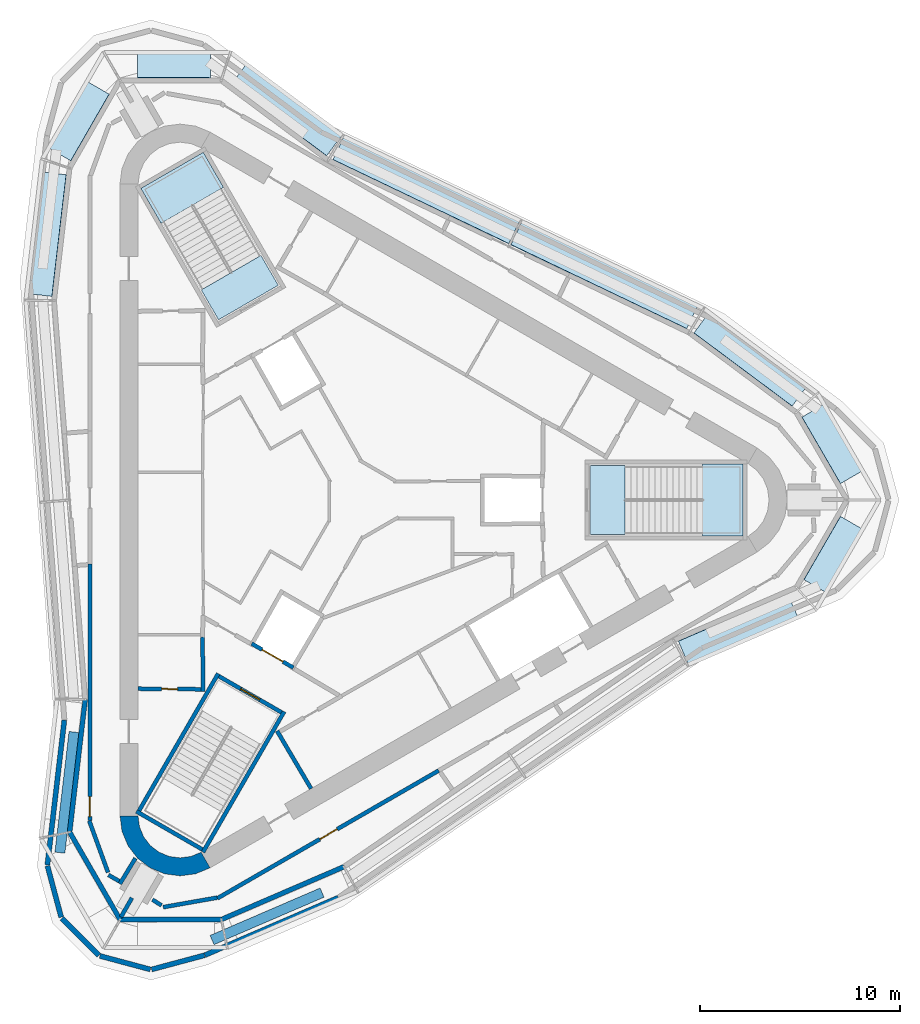
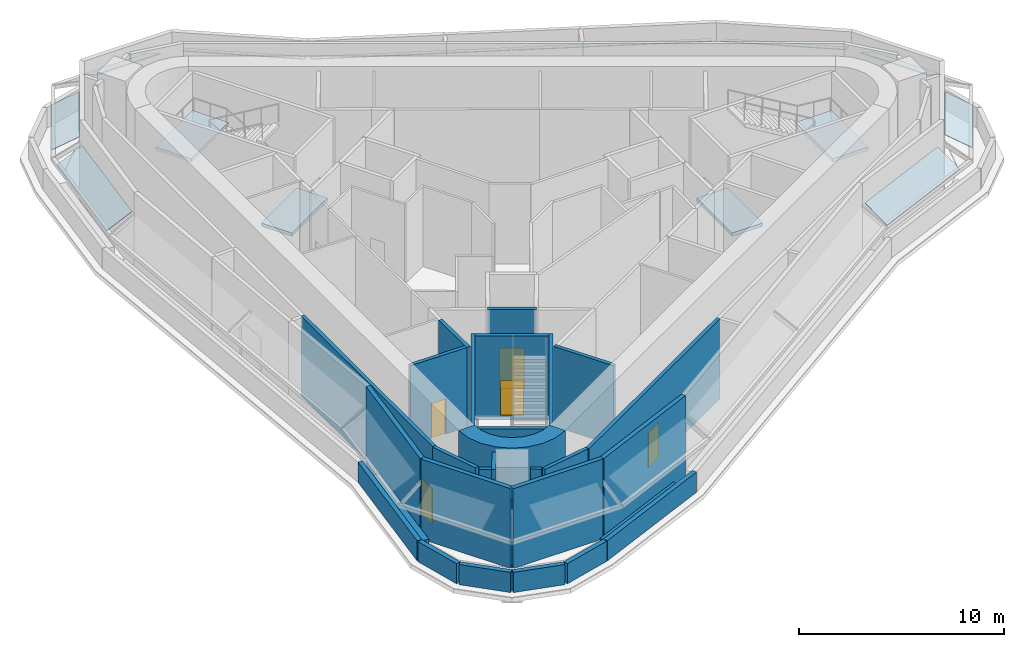
# One storey, part 2 of 7: 29 walls, 10 plates, 5 doors, 4 slabs, 5 openings, 3 elements without a shape of their own.
"""IFC4 building model written with IfcOpenShell, lengths in metres."""

from ifc_helpers import new_model, si_unit, direction, frame, frame_2d, origin, place, context, subcontext, project, spatial, polyline, rectangle, outline, extrude, material, layer, layer_set, type_object, element, fill, aggregate, save


model = new_model("IFC4")

# Units and contexts
model_context = context("Model", 3, precision=1e-05, world=origin(), true_north=direction((0.0, 1.0)))
body_context = subcontext(model_context, "Body", "Model", "MODEL_VIEW")
ifc_project = project(units=[si_unit("LENGTHUNIT", "METRE"), si_unit("AREAUNIT", "SQUARE_METRE"), si_unit("VOLUMEUNIT", "CUBIC_METRE"), si_unit("PLANEANGLEUNIT", "RADIAN"), si_unit("MASSUNIT", "GRAM", prefix="KILO")], contexts=[model_context])

# Site, building, storey
site_placement = place(None, origin())
site = spatial("IfcSite", under=ifc_project, at=site_placement, CompositionType="ELEMENT")
building_placement = place(site_placement, origin())
building = spatial("IfcBuilding", under=site, at=building_placement, Name="Tanit Gate Tower", CompositionType="ELEMENT")
storey_placement = place(building_placement, frame((0.0, 0.0, 425.300048828125)))
storey = spatial("IfcBuildingStorey", under=building, at=storey_placement, Name="L96", CompositionType="ELEMENT", Elevation=425.300048828125)

# Curtain wall, plates
ifc_material_1 = material(Name="Aluminium bronze anodised and glass", Category="aluminium")
curtain_wall_type = type_object("IfcCurtainWallType", Name="Curtain wall crown roof", PredefinedType="NOTDEFINED", material=ifc_material_1)
curtain_wall_placement = place(storey_placement, origin())
curtain_wall = element("IfcCurtainWall", 1, at=curtain_wall_placement, inside=storey, type_object=curtain_wall_type, Name="Glass roof L96", PredefinedType="NOTDEFINED")
ifc_material_2 = material(Name="Glass tinted laminated safety", Category="glass")
ifc_layer_1 = layer(ifc_material_2, 0.033935546875)
ifc_layer_set_1 = layer_set([ifc_layer_1], Name="Glass panel 34 crown roof")
plate_type = type_object("IfcPlateType", Name="Glass panel 34 crown roof", PredefinedType="CURTAIN_PANEL", material=ifc_layer_set_1)
plate_1_placement = place(storey_placement, frame((21.45361328125, 4.688720703125, 3.498291015625), z_axis=(0.298666408134, 0.400983056406, 0.866031734481), x_axis=(-0.801983700712, 0.59734591636, 0.0)))
plate_1 = element("IfcPlate", 2, at=plate_1_placement, type_object=plate_type, Name="Roof glass panel L96 NE1.1", PredefinedType="CURTAIN_PANEL", context=body_context, shape_type="SweptSolid", body=[
    extrude(outline(polyline([(0.0, 0.0), (6.115512087427251, 0.0), (6.1154662302938405, -1.5473972164386183), (-4.585713341078351e-05, -1.5473972164386183), (0.0, 0.0)])), origin(), (0.0, 0.0, -1.0), 0.033935546875),
])
plate_2_placement = place(storey_placement, frame((16.192138671875, 8.55712890625, 3.498291015625), z_axis=(0.215531890383, 0.451143612175, 0.866034321157), x_axis=(-0.902315098055, 0.431077097307, 0.0)))
plate_2 = element("IfcPlate", 3, at=plate_2_placement, type_object=plate_type, Name="Roof glass panel L96 NE2.1", PredefinedType="CURTAIN_PANEL", context=body_context, shape_type="SweptSolid", body=[
    extrude(outline(polyline([(0.0, 0.0), (9.726499319828845, 0.0), (9.7265597058064, -1.5474110828227365), (6.0385977555088566e-05, -1.547411082822736), (0.0, 0.0)])), origin(), (0.0, 0.0, -1.0), 0.033935546875),
])
plate_3_placement = place(storey_placement, frame((7.307373046875, 12.8017578125, 3.498291015625), z_axis=(0.215558466029, 0.451199239363, 0.865998726397), x_axis=(-0.902315098055, 0.431077097307, 0.0)))
plate_3 = element("IfcPlate", 4, at=plate_3_placement, type_object=plate_type, Name="Roof glass panel L96 NE2.2", PredefinedType="CURTAIN_PANEL", context=body_context, shape_type="SweptSolid", body=[
    extrude(outline(polyline([(0.0, 0.0), (9.726499319828845, 0.0), (9.726454462374441, -1.5472203065079027), (-4.485745440463429e-05, -1.5472203065079024), (0.0, 0.0)])), origin(), (0.0, 0.0, -1.0), 0.033935546875),
])
plate_4_placement = place(storey_placement, frame((-1.781982421875, 17.18359375, 3.498291015625), z_axis=(0.298706164305, 0.401038498358, 0.86599234999), x_axis=(-0.801992547081, 0.597334039191, 7.126442e-06)))
plate_4 = element("IfcPlate", 5, at=plate_4_placement, type_object=plate_type, Name="Roof glass panel L96 NE3.1", PredefinedType="CURTAIN_PANEL", context=body_context, shape_type="SweptSolid", body=[
    extrude(outline(polyline([(0.0, 0.0), (5.948909984247052, 4.440892098500626e-16), (5.949034566153936, -1.5472709206767363), (-2.1251598777600067e-05, -1.5471013597540724), (0.0, 0.0)])), origin(), (0.0, 0.0, -1.0), 0.033935546875),
])
plate_5_placement = place(storey_placement, frame((-7.575439453125, 21.076171875, 3.498291015625), z_axis=(0.000234234829, 0.499990973103, 0.866030583727), x_axis=(-0.999999890264, 0.000468478064, 0.0)))
plate_5 = element("IfcPlate", 6, at=plate_5_placement, type_object=plate_type, Name="Roof glass panel L96 NW.arc1.1", PredefinedType="CURTAIN_PANEL", context=body_context, shape_type="SweptSolid", body=[
    extrude(outline(polyline([(0.0, 0.0), (3.6479496190608676, 0.0), (3.648089139645, -1.547391047729222), (0.00013952058413243344, -1.547391047729222), (0.0, 0.0)])), origin(), (0.0, 0.0, -1.0), 0.033935546875),
])
plate_6_placement = place(storey_placement, frame((-12.641845703125, 20.258544921875, 3.498291015625), z_axis=(-0.433335350751, 0.249490326929, 0.866010999098), x_axis=(-0.498963358598, -0.866623082286, -5.064469e-06)))
plate_6 = element("IfcPlate", 7, at=plate_6_placement, type_object=plate_type, Name="Roof glass panel L96 NW.arc2.1", PredefinedType="CURTAIN_PANEL", context=body_context, shape_type="SweptSolid", body=[
    extrude(outline(polyline([(0.0, 0.0), (3.8375266719688814, 0.0), (3.8373814474603263, -1.5472472087476996), (0.00018817061861330312, -1.5473249416350263), (0.0, 0.0)])), origin(), (0.0, 0.0, -1.0), 0.033935546875),
])
plate_7_placement = place(storey_placement, frame((-14.787353515625, 16.235107421875, 3.498291015625), z_axis=(-0.496617410915, 0.058157274276, 0.866018982832), x_axis=(-0.11632672933, -0.993211000729, -8.584751e-06)))
plate_7 = element("IfcPlate", 8, at=plate_7_placement, type_object=plate_type, Name="Roof glass panel L96 W1.1", PredefinedType="CURTAIN_PANEL", context=body_context, shape_type="SweptSolid", body=[
    extrude(outline(polyline([(0.0, 0.0), (6.115496234475524, -1.1102230246251565e-16), (6.115607462061177, -1.5472238654103196), (0.00013962766605625133, -1.5474338603032207), (0.0, 0.0)])), origin(), (0.0, 0.0, -1.0), 0.033935546875),
])
plate_8_placement = place(storey_placement, frame((15.7724609375, -7.048583984375, 3.498291015625), z_axis=(0.197943054289, -0.459158529445, 0.866020780407), x_axis=(0.918294344887, 0.395898340503, 1.1676939e-05)))
plate_8 = element("IfcPlate", 9, at=plate_8_placement, type_object=plate_type, Name="Roof glass panel L96 SE3.1", PredefinedType="CURTAIN_PANEL", context=body_context, shape_type="SweptSolid", body=[
    extrude(outline(polyline([(0.0, 0.0), (5.948971082034645, -2.220446049250313e-16), (5.948896148622116, -1.5474774275708434), (-0.00020247149953695934, -1.547199565943596), (0.0, 0.0)])), origin(), (0.0, 0.0, -1.0), 0.033935546875),
])
plate_9_placement = place(storey_placement, frame((22.040283203125, -3.9775390625, 3.498291015625), z_axis=(0.432910883191, -0.250212551588, 0.866014922644), x_axis=(0.500396062152, 0.865796616377, 7.250832e-06)))
plate_9 = element("IfcPlate", 10, at=plate_9_placement, type_object=plate_type, Name="Roof glass panel L96 E.arc1.1", PredefinedType="CURTAIN_PANEL", context=body_context, shape_type="SweptSolid", body=[
    extrude(outline(polyline([(0.0, 0.0), (3.6480156696245745, 0.0), (3.647897457777067, -1.5473600022180385), (9.316427953745552e-05, -1.5472542045329571), (0.0, 0.0)])), origin(), (0.0, 0.0, -1.0), 0.033935546875),
])
plate_10_placement = place(storey_placement, frame((23.865234375, 0.81884765625, 3.498291015625), z_axis=(0.432733401979, 0.250516469939, 0.866015762617), x_axis=(-0.50101620732, 0.86543790072, 0.0)))
plate_10 = element("IfcPlate", 11, at=plate_10_placement, type_object=plate_type, Name="Roof glass panel L96 E.arc2.1", PredefinedType="CURTAIN_PANEL", context=body_context, shape_type="SweptSolid", body=[
    extrude(outline(polyline([(0.0, 0.0), (3.837415624057493, 0.0), (3.8374466890505063, -1.547311605312194), (3.10649930134374e-05, -1.5473116053121945), (0.0, 0.0)])), origin(), (0.0, 0.0, -1.0), 0.033935546875),
])
aggregate(curtain_wall, [plate_1, plate_2, plate_3, plate_4, plate_5, plate_6, plate_7, plate_8, plate_9, plate_10])

# Stair, slab
ifc_material_3 = material(Name="Concrete C40/50", Category="concrete")
stair_type = type_object("IfcStairType", Name="INT-STAIR-EXIT", PredefinedType="HALF_TURN_STAIR", material=ifc_material_3)
stair_1_placement = place(storey_placement, origin())
stair_1 = element("IfcStair", 12, at=stair_1_placement, inside=storey, type_object=stair_type, Name="L96 STAIR S1", PredefinedType="HALF_TURN_STAIR")
ifc_material_4 = material(Name="Concrete C40/50", Category="concrete")
ifc_layer_2 = layer(ifc_material_4, 0.199951171875)
ifc_layer_set_2 = layer_set([ifc_layer_2], Name="INT-STAIR-LANDING")
slab_type = type_object("IfcSlabType", Name="INT-STAIR-LANDING", PredefinedType="LANDING", material=ifc_layer_set_2)
slab_1_placement = place(storey_placement, frame((0.0, 0.0, 2.300048828125)))
slab_1 = element("IfcSlab", 13, at=slab_1_placement, type_object=slab_type, Name="S1 landing 1", PredefinedType="LANDING", context=body_context, shape_type="SweptSolid", body=[
    extrude(outline(polyline([(16.985107421875, -1.800048828125), (19.0, -1.800048828125), (19.0, 1.800048828125), (16.985107421875, 1.800048828125), (16.985107421875, -1.800048828125)])), origin(), (0.0, 0.0, 1.0), 0.199951171875),
])
aggregate(stair_1, [slab_1])

# Slab
slab_2_placement = place(storey_placement, frame((0.0, 0.0, -0.199951171875)))
element("IfcSlab", 14, at=slab_2_placement, inside=storey, type_object=slab_type, Name="S1 floor landing", PredefinedType="LANDING", context=body_context, shape_type="SweptSolid", body=[
    extrude(outline(polyline([(11.3798828125, -1.719970703125), (13.10498046875, -1.719970703125), (13.10498046875, 1.719970703125), (11.3798828125, 1.719970703125), (11.3798828125, -1.719970703125)])), origin(), (0.0, 0.0, 1.0), 0.199951171875),
])

# Stair, slab
stair_2_placement = place(storey_placement, origin())
stair_2 = element("IfcStair", 15, at=stair_2_placement, inside=storey, type_object=stair_type, Name="L96 STAIR S2", PredefinedType="HALF_TURN_STAIR")
slab_3_placement = place(storey_placement, frame((0.0, 0.0, 2.300048828125)))
slab_3 = element("IfcSlab", 16, at=slab_3_placement, type_object=slab_type, Name="S2 landing 1", PredefinedType="LANDING", context=body_context, shape_type="SweptSolid", body=[
    extrude(outline(polyline([(-6.93310546875, 15.608642578125), (-7.941162109375, 17.3544921875), (-11.058837890625, 15.554443359375), (-10.05078125, 13.80859375), (-6.93310546875, 15.608642578125)])), origin(), (0.0, 0.0, 1.0), 0.199951171875),
])
aggregate(stair_2, [slab_3])

# Slab
slab_4_placement = place(storey_placement, frame((0.0, 0.0, -0.199951171875)))
element("IfcSlab", 17, at=slab_4_placement, inside=storey, type_object=slab_type, Name="S2 floor landing", PredefinedType="LANDING", context=body_context, shape_type="SweptSolid", body=[
    extrude(outline(polyline([(-4.200439453125, 10.71533203125), (-5.0625, 12.20849609375), (-8.04150390625, 10.48828125), (-7.179443359375, 8.995361328125), (-4.200439453125, 10.71533203125)])), origin(), (0.0, 0.0, 1.0), 0.199951171875),
])

# Walls
ifc_material_5 = material(Name="Concrete C40/50", Category="concrete")
ifc_layer_3 = layer(ifc_material_5, 0.89990234375)
ifc_layer_set_3 = layer_set([ifc_layer_3], Name="CORE WALL 900 C40/50")
wall_type_1 = type_object("IfcWallType", Name="CORE WALL 900 C40/50", PredefinedType="SHEAR", material=ifc_layer_set_3)
wall_1_placement = place(storey_placement, origin())
element("IfcWall", 18, at=wall_1_placement, inside=storey, type_object=wall_type_1, Name="CORE WALL CORNER", PredefinedType="SHEAR", context=body_context, shape_type="SweptSolid", body=[
    extrude(outline(polyline([(-12.10009765625, -15.76171875), (-11.997802734375, -16.5380859375), (-11.697998046875, -17.26171875), (-11.22119140625, -17.883056640625), (-10.60009765625, -18.359619140625), (-9.87646484375, -18.659423828125), (-9.10009765625, -18.76171875), (-8.323486328125, -18.659423828125), (-7.60009765625, -18.359619140625), (-8.050048828125, -17.580322265625), (-8.556396484375, -17.7900390625), (-9.10009765625, -17.86181640625), (-9.6435546875, -17.7900390625), (-10.14990234375, -17.580322265625), (-10.5849609375, -17.24658203125), (-10.918701171875, -16.811767578125), (-11.12841796875, -16.30517578125), (-11.199951171875, -15.76171875), (-12.10009765625, -15.76171875)])), origin(), (0.0, 0.0, 1.0), 5.0),
])
ifc_material_6 = material(Name="Concrete C30/37 with bronze anodised aluminium cladding", Category="concrete")
ifc_layer_4 = layer(ifc_material_6, 0.239990234375)
ifc_layer_set_4 = layer_set([ifc_layer_4], Name="Facade wall bronze clad 240")
wall_type_2 = type_object("IfcWallType", Name="Facade wall bronze clad 240", PredefinedType="SOLIDWALL", material=ifc_layer_set_4)
wall_2_placement = place(storey_placement, frame((-13.83642578125, -9.955078125, 0.0), z_axis=(0.0, 0.0, 1.0), x_axis=(-0.116299625297, -0.993214174867, 0.0)))
element("IfcWall", 19, at=wall_2_placement, inside=storey, type_object=wall_type_2, Name="Bronze-clad facade wall L96 W3", PredefinedType="SOLIDWALL", context=body_context, shape_type="SweptSolid", body=[
    extrude(rectangle(XDim=6.669189453125, YDim=0.239990234375, at=frame_2d((3.33447265625, 0.0))), origin(), (0.0, 0.0, 1.0), 4.75),
])
wall_3_placement = place(storey_placement, frame((-14.612060546875, -16.5791015625, 0.0), z_axis=(0.0, 0.0, 1.0), x_axis=(0.499577110492, -0.866269421527, 0.0)))
element("IfcWall", 20, at=wall_3_placement, inside=storey, type_object=wall_type_2, Name="Bronze-clad facade wall L96 SW.arc1", PredefinedType="SOLIDWALL", context=body_context, shape_type="SweptSolid", body=[
    extrude(rectangle(XDim=5.041259765625, YDim=0.239990234375, at=frame_2d((2.5205078125, 0.0))), origin(), (0.0, 0.0, 1.0), 4.75),
])
wall_4_placement = place(storey_placement, frame((-12.093505859375, -20.9462890625, 0.0), z_axis=(0.0, 0.0, 1.0), x_axis=(0.999999328327, 0.001159027569, 0.0)))
element("IfcWall", 21, at=wall_4_placement, inside=storey, type_object=wall_type_2, Name="Bronze-clad facade wall L96 SW.arc2", PredefinedType="SOLIDWALL", context=body_context, shape_type="SweptSolid", body=[
    extrude(rectangle(XDim=5.055419921875, YDim=0.239990234375, at=frame_2d((2.52783203125, 0.0))), origin(), (0.0, 0.0, 1.0), 4.75),
])
wall_5_placement = place(storey_placement, frame((-7.0380859375, -20.9404296875, 0.0), z_axis=(0.0, 0.0, 1.0), x_axis=(0.918295366669, 0.395895970621, 0.0)))
element("IfcWall", 22, at=wall_5_placement, inside=storey, type_object=wall_type_2, Name="Bronze-clad facade wall L96 SE1", PredefinedType="SOLIDWALL", context=body_context, shape_type="SweptSolid", body=[
    extrude(rectangle(XDim=6.66015625, YDim=0.239990234375, at=frame_2d((3.330078125, 0.0))), origin(), (0.0, 0.0, 1.0), 4.75),
])
ifc_material_7 = material(Name="Fire-rated gypsum board partition")
ifc_layer_5 = layer(ifc_material_7, 0.199951171875)
ifc_layer_set_5 = layer_set([ifc_layer_5], Name="INT-WALL-COMPARTMENT")
wall_type_3 = type_object("IfcWallType", Name="INT-WALL-COMPARTMENT", PredefinedType="PARTITIONING", material=ifc_layer_set_5)
wall_6_placement = place(storey_placement, frame((-7.948974609375, -9.550048828125, 0.0), z_axis=(0.0, 0.0, 1.0), x_axis=(-0.011121475088, 0.999938154483, 0.0)))
element("IfcWall", 23, at=wall_6_placement, inside=storey, type_object=wall_type_3, Name="Wall Compartment W044", PredefinedType="PARTITIONING", context=body_context, shape_type="SweptSolid", body=[
    extrude(rectangle(XDim=2.7001953125, YDim=0.199951171875, at=frame_2d((1.35009765625, 0.0))), origin(), (0.0, 0.0, 1.0), 4.75),
])

# Wall, opening, door
wall_7_placement = place(storey_placement, frame((-11.199951171875, -9.419921875, 0.0), z_axis=(0.0, 0.0, 1.0), x_axis=(0.999957467379, -0.009222983926, 0.0)))
wall_7 = element("IfcWall", 24, at=wall_7_placement, inside=storey, type_object=wall_type_3, Name="Wall Compartment W045", PredefinedType="PARTITIONING", context=body_context, shape_type="SweptSolid", body=[
    extrude(rectangle(XDim=3.150146484375, YDim=0.199951171875, at=frame_2d((1.5751953125, 0.0))), origin(), (0.0, 0.0, 1.0), 4.75),
])
opening_1_placement = place(wall_7_placement, frame((1.175048828125, 0.0, 0.0)))
opening_1 = element("IfcOpeningElement", 25, at=opening_1_placement, cuts=wall_7, Name="Opening R08-96-17", PredefinedType="OPENING", context=body_context, shape_type="SweptSolid", body=[
    extrude(rectangle(XDim=0.800048828125, YDim=2.10009765625, at=frame_2d((0.39990234375, 1.050048828125))), frame((0.0, 0.10986328125, 0.0), z_axis=(0.0, -1.0, 0.0), x_axis=(1.0, 0.0, 0.0)), (0.0, 0.0, 1.0), 0.219970703125),
])
ifc_material_8 = material(Name="Timber door leaf", Category="wood")
door_type_1 = type_object("IfcDoorType", Name="INT-DOOR-RISER-800", OperationType="NOTDEFINED", PredefinedType="USERDEFINED", material=ifc_material_8)
door_1_placement = place(opening_1_placement, origin())
door_1 = element("IfcDoor", 26, at=door_1_placement, inside=storey, type_object=door_type_1, Name="Door R08-96-17", ObjectType="FIRE DOOR", OperationType="SINGLE_SWING_LEFT", OverallHeight=2.10009765625, OverallWidth=0.800048828125, PredefinedType="USERDEFINED", context=body_context, shape_type="SweptSolid", body=[
    extrude(rectangle(XDim=0.800048828125, YDim=2.10009765625, at=frame_2d((0.39990234375, 1.050048828125))), frame((0.0, 0.02490234375, 0.0), z_axis=(0.0, -1.0, 0.0), x_axis=(1.0, 0.0, 0.0)), (0.0, 0.0, 1.0), 0.050048828125),
])
fill(opening_1, door_1)

# Wall
wall_8_placement = place(storey_placement, frame((-4.259765625, -11.523681640625, 0.0), z_axis=(0.0, 0.0, 1.0), x_axis=(0.507997497166, -0.861358544901, 0.0)))
element("IfcWall", 27, at=wall_8_placement, inside=storey, type_object=wall_type_3, Name="Wall Compartment W058", PredefinedType="PARTITIONING", context=body_context, shape_type="SweptSolid", body=[
    extrude(rectangle(XDim=3.350341796875, YDim=0.199951171875, at=frame_2d((1.67529296875, 0.0))), origin(), (0.0, 0.0, 1.0), 4.75),
])

# Wall, opening, door
wall_9_placement = place(storey_placement, frame((-13.60009765625, -3.193603515625, 0.0), z_axis=(0.0, 0.0, 1.0), x_axis=(0.0, -1.0, 0.0)))
wall_9 = element("IfcWall", 28, at=wall_9_placement, inside=storey, type_object=wall_type_3, Name="Wall Compartment W097", PredefinedType="PARTITIONING", context=body_context, shape_type="SweptSolid", body=[
    extrude(rectangle(XDim=12.81201171875, YDim=0.199951171875, at=frame_2d((6.406005859375, 0.0))), origin(), (0.0, 0.0, 1.0), 4.75),
])
opening_2_placement = place(wall_9_placement, frame((11.61181640625, 0.0, 0.0)))
opening_2 = element("IfcOpeningElement", 29, at=opening_2_placement, cuts=wall_9, Name="Opening F10-96-26", PredefinedType="OPENING", context=body_context, shape_type="SweptSolid", body=[
    extrude(rectangle(XDim=1.0, YDim=2.10009765625, at=frame_2d((0.5, 1.050048828125))), frame((0.0, 0.10986328125, 0.0), z_axis=(0.0, -1.0, 0.0), x_axis=(1.0, 0.0, 0.0)), (0.0, 0.0, 1.0), 0.219970703125),
])
ifc_material_9 = material(Name="Fire-rated steel door leaf", Category="steel")
door_type_2 = type_object("IfcDoorType", Name="INT-DOOR-FIRE-1000", OperationType="NOTDEFINED", PredefinedType="USERDEFINED", material=ifc_material_9)
door_2_placement = place(opening_2_placement, origin())
door_2 = element("IfcDoor", 30, at=door_2_placement, inside=storey, type_object=door_type_2, Name="Door F10-96-26", ObjectType="FIRE DOOR", OperationType="SINGLE_SWING_RIGHT", OverallHeight=2.10009765625, OverallWidth=1.0, PredefinedType="USERDEFINED", context=body_context, shape_type="SweptSolid", body=[
    extrude(rectangle(XDim=1.0, YDim=2.10009765625, at=frame_2d((0.5, 1.050048828125))), frame((0.0, 0.02490234375, 0.0), z_axis=(0.0, -1.0, 0.0), x_axis=(1.0, 0.0, 0.0)), (0.0, 0.0, 1.0), 0.050048828125),
])
fill(opening_2, door_2)

# Walls
wall_10_placement = place(storey_placement, frame((-12.104248046875, -19.1611328125, 0.0), z_axis=(0.0, 0.0, 1.0), x_axis=(0.518475368733, 0.855092563421, 0.0)))
element("IfcWall", 31, at=wall_10_placement, inside=storey, type_object=wall_type_3, Name="Wall Compartment W094", PredefinedType="PARTITIONING", context=body_context, shape_type="SweptSolid", body=[
    extrude(rectangle(XDim=1.49560546875, YDim=0.199951171875, at=frame_2d((0.747802734375, 0.0))), origin(), (0.0, 0.0, 1.0), 4.75),
])
wall_11_placement = place(storey_placement, frame((-12.674560546875, -18.716552734375, 0.0), z_axis=(0.0, 0.0, 1.0), x_axis=(0.866047486323, -0.49996174997, 0.0)))
element("IfcWall", 32, at=wall_11_placement, inside=storey, type_object=wall_type_3, Name="Wall Compartment W095", PredefinedType="PARTITIONING", context=body_context, shape_type="SweptSolid", body=[
    extrude(rectangle(XDim=0.6181640625, YDim=0.199951171875, at=frame_2d((0.30908203125, 0.0))), origin(), (0.0, 0.0, 1.0), 4.75),
])
wall_12_placement = place(storey_placement, frame((-13.63427734375, -16.011474609375, 0.0), z_axis=(0.0, 0.0, 1.0), x_axis=(0.342043269434, -0.939684203248, 0.0)))
element("IfcWall", 33, at=wall_12_placement, inside=storey, type_object=wall_type_3, Name="Wall Compartment W096", PredefinedType="PARTITIONING", context=body_context, shape_type="SweptSolid", body=[
    extrude(rectangle(XDim=2.7421875, YDim=0.199951171875, at=frame_2d((1.37109375, 0.0))), origin(), (0.0, 0.0, 1.0), 4.75),
])
wall_13_placement = place(storey_placement, frame((-11.50146484375, -19.861083984375, 0.0), z_axis=(0.0, 0.0, 1.0), x_axis=(-0.500107244371, -0.865963477364, 0.0)))
element("IfcWall", 34, at=wall_13_placement, inside=storey, type_object=wall_type_3, Name="Wall Compartment W101", PredefinedType="PARTITIONING", context=body_context, shape_type="SweptSolid", body=[
    extrude(rectangle(XDim=1.098388671875, YDim=0.199951171875, at=frame_2d((0.54931640625, 0.0))), origin(), (0.0, 0.0, 1.0), 3.929931640625),
])

# Wall, opening, door
wall_14_placement = place(storey_placement, frame((-7.234375, -19.880615234375, 0.0), z_axis=(0.0, 0.0, 1.0), x_axis=(0.866028703517, 0.499994284652, 0.0)))
wall_14 = element("IfcWall", 35, at=wall_14_placement, inside=storey, type_object=wall_type_3, Name="Wall Compartment W112", PredefinedType="PARTITIONING", context=body_context, shape_type="SweptSolid", body=[
    extrude(rectangle(XDim=12.750244140625, YDim=0.199951171875, at=frame_2d((6.375, 0.0))), origin(), (0.0, 0.0, 1.0), 4.75),
])
opening_3_placement = place(wall_14_placement, frame((5.89990234375, 0.0, 0.0)))
opening_3 = element("IfcOpeningElement", 36, at=opening_3_placement, cuts=wall_14, Name="Opening F10-96-30", PredefinedType="OPENING", context=body_context, shape_type="SweptSolid", body=[
    extrude(rectangle(XDim=1.0, YDim=2.10009765625, at=frame_2d((0.5, 1.050048828125))), frame((0.0, 0.10986328125, 0.0), z_axis=(0.0, -1.0, 0.0), x_axis=(1.0, 0.0, 0.0)), (0.0, 0.0, 1.0), 0.219970703125),
])
door_3_placement = place(opening_3_placement, origin())
door_3 = element("IfcDoor", 37, at=door_3_placement, inside=storey, type_object=door_type_2, Name="Door F10-96-30", ObjectType="FIRE DOOR", OperationType="SINGLE_SWING_RIGHT", OverallHeight=2.10009765625, OverallWidth=1.0, PredefinedType="USERDEFINED", context=body_context, shape_type="SweptSolid", body=[
    extrude(rectangle(XDim=1.0, YDim=2.10009765625, at=frame_2d((0.5, 1.050048828125))), frame((0.0, 0.02490234375, 0.0), z_axis=(0.0, -1.0, 0.0), x_axis=(1.0, 0.0, 0.0)), (0.0, 0.0, 1.0), 0.050048828125),
])
fill(opening_3, door_3)

# Walls
wall_15_placement = place(storey_placement, frame((-9.94140625, -20.3232421875, 0.0), z_axis=(0.0, 0.0, 1.0), x_axis=(0.984814976585, 0.173607205765, 0.0)))
element("IfcWall", 38, at=wall_15_placement, inside=storey, type_object=wall_type_3, Name="Wall Compartment W113", PredefinedType="PARTITIONING", context=body_context, shape_type="SweptSolid", body=[
    extrude(rectangle(XDim=2.736572265625, YDim=0.199951171875, at=frame_2d((1.3681640625, 0.0))), origin(), (0.0, 0.0, 1.0), 4.75),
])
wall_16_placement = place(storey_placement, frame((-10.478759765625, -19.94970703125, 0.0), z_axis=(0.0, 0.0, 1.0), x_axis=(0.84332290589, -0.537407179335, 0.0)))
element("IfcWall", 39, at=wall_16_placement, inside=storey, type_object=wall_type_3, Name="Wall Compartment W114", PredefinedType="PARTITIONING", context=body_context, shape_type="SweptSolid", body=[
    extrude(rectangle(XDim=0.53466796875, YDim=0.199951171875, at=frame_2d((0.267333984375, 0.0))), origin(), (0.0, 0.0, 1.0), 4.75),
])

# Wall, opening, door
ifc_material_10 = material(Name="Gypsum shaft wall system")
ifc_layer_6 = layer(ifc_material_10, 0.199951171875)
ifc_layer_set_6 = layer_set([ifc_layer_6], Name="INT-WALL-SHAFT")
wall_type_4 = type_object("IfcWallType", Name="INT-WALL-SHAFT", PredefinedType="PLUMBINGWALL", material=ifc_layer_set_6)
wall_17_placement = place(storey_placement, frame((-3.44580078125, -8.3681640625, 0.0), z_axis=(0.0, 0.0, 1.0), x_axis=(-0.866024647952, 0.500001309137, 0.0)))
wall_17 = element("IfcWall", 40, at=wall_17_placement, inside=storey, type_object=wall_type_4, Name="Wall Shaft W028", PredefinedType="PLUMBINGWALL", context=body_context, shape_type="SweptSolid", body=[
    extrude(rectangle(XDim=2.39990234375, YDim=0.199951171875, at=frame_2d((1.199951171875, 0.0))), origin(), (0.0, 0.0, 1.0), 4.75),
])
opening_4_placement = place(wall_17_placement, frame((0.60009765625, 0.0, 0.0)))
opening_4 = element("IfcOpeningElement", 41, at=opening_4_placement, cuts=wall_17, Name="Opening LDFL3-L96", PredefinedType="OPENING", context=body_context, shape_type="SweptSolid", body=[
    extrude(rectangle(XDim=1.199951171875, YDim=2.39990234375, at=frame_2d((0.60009765625, 1.199951171875))), frame((0.0, 0.10986328125, 0.0), z_axis=(0.0, -1.0, 0.0), x_axis=(1.0, 0.0, 0.0)), (0.0, 0.0, 1.0), 0.219970703125),
])
ifc_material_11 = material(Name="Stainless steel sliding door leaf", Category="steel")
door_type_3 = type_object("IfcDoorType", Name="INT-DOOR-LANDING-1200", OperationType="NOTDEFINED", PredefinedType="USERDEFINED", material=ifc_material_11)
door_4_placement = place(opening_4_placement, origin())
door_4 = element("IfcDoor", 42, at=door_4_placement, inside=storey, type_object=door_type_3, Name="Door LDFL3-L96", ObjectType="LANDING DOOR", OperationType="SLIDING_TO_LEFT", OverallHeight=2.39990234375, OverallWidth=1.199951171875, PredefinedType="USERDEFINED", context=body_context, shape_type="SweptSolid", body=[
    extrude(rectangle(XDim=1.199951171875, YDim=2.39990234375, at=frame_2d((0.60009765625, 1.199951171875))), frame((0.0, 0.02490234375, 0.0), z_axis=(0.0, -1.0, 0.0), x_axis=(1.0, 0.0, 0.0)), (0.0, 0.0, 1.0), 0.050048828125),
])
fill(opening_4, door_4)

# Walls
ifc_material_12 = material(Name="Concrete C40/50", Category="concrete")
ifc_layer_7 = layer(ifc_material_12, 0.199951171875)
ifc_layer_set_7 = layer_set([ifc_layer_7], Name="INT-WALL-STAIR")
wall_type_5 = type_object("IfcWallType", Name="INT-WALL-STAIR", PredefinedType="SHEAR", material=ifc_layer_set_7)
wall_18_placement = place(storey_placement, frame((-3.904541015625, -10.56298828125, -0.25), z_axis=(0.0, 0.0, 1.0), x_axis=(-0.500012932018, -0.866017937352, 0.0)))
element("IfcWall", 43, at=wall_18_placement, inside=storey, type_object=wall_type_5, Name="Wall Stair W024", PredefinedType="SHEAR", context=body_context, shape_type="SweptSolid", body=[
    extrude(rectangle(XDim=8.099853515625, YDim=0.199951171875, at=frame_2d((4.0498046875, 0.0))), origin(), (0.0, 0.0, 1.0), 5.0),
])
wall_19_placement = place(storey_placement, frame((-11.281982421875, -15.541015625, -0.25), z_axis=(0.0, 0.0, 1.0), x_axis=(0.866000483506, -0.500043160704, 0.0)))
element("IfcWall", 44, at=wall_19_placement, inside=storey, type_object=wall_type_5, Name="Wall Stair W025", PredefinedType="SHEAR", context=body_context, shape_type="SweptSolid", body=[
    extrude(rectangle(XDim=3.800048828125, YDim=0.199951171875, at=frame_2d((1.89990234375, 0.0))), origin(), (0.0, 0.0, 1.0), 5.0),
])
wall_20_placement = place(storey_placement, frame((-7.195556640625, -8.662841796875, -0.25), z_axis=(0.0, 0.0, 1.0), x_axis=(-0.499997992926, -0.866026562566, 0.0)))
element("IfcWall", 45, at=wall_20_placement, inside=storey, type_object=wall_type_5, Name="Wall Stair W026", PredefinedType="SHEAR", context=body_context, shape_type="SweptSolid", body=[
    extrude(rectangle(XDim=7.89990234375, YDim=0.199951171875, at=frame_2d((3.949951171875, 0.0))), origin(), (0.0, 0.0, 1.0), 5.0),
])

# Wall, opening, door
wall_21_placement = place(storey_placement, frame((-4.041259765625, -10.599365234375, -0.25), z_axis=(0.0, 0.0, 1.0), x_axis=(-0.866047807691, 0.499961193289, 0.0)))
wall_21 = element("IfcWall", 46, at=wall_21_placement, inside=storey, type_object=wall_type_5, Name="Wall Stair W027", PredefinedType="SHEAR", context=body_context, shape_type="SweptSolid", body=[
    extrude(rectangle(XDim=3.599853515625, YDim=0.199951171875, at=frame_2d((1.7998046875, 0.0))), origin(), (0.0, 0.0, 1.0), 5.0),
])
opening_5_placement = place(wall_21_placement, frame((1.25, 0.0, 0.25)))
opening_5 = element("IfcOpeningElement", 47, at=opening_5_placement, cuts=wall_21, Name="Opening S11-96-07", PredefinedType="OPENING", context=body_context, shape_type="SweptSolid", body=[
    extrude(rectangle(XDim=1.10009765625, YDim=2.10009765625, at=frame_2d((0.550048828125, 1.050048828125))), frame((0.0, 0.10986328125, 0.0), z_axis=(0.0, -1.0, 0.0), x_axis=(1.0, 0.0, 0.0)), (0.0, 0.0, 1.0), 0.219970703125),
])
ifc_material_13 = material(Name="Timber door leaf", Category="wood")
door_type_4 = type_object("IfcDoorType", Name="INT-DOOR-STAIR-1100", OperationType="NOTDEFINED", PredefinedType="USERDEFINED", material=ifc_material_13)
door_5_placement = place(opening_5_placement, origin())
door_5 = element("IfcDoor", 48, at=door_5_placement, inside=storey, type_object=door_type_4, Name="Door S11-96-07", ObjectType="FIRE DOOR", OperationType="SINGLE_SWING_LEFT", OverallHeight=2.10009765625, OverallWidth=1.10009765625, PredefinedType="USERDEFINED", context=body_context, shape_type="SweptSolid", body=[
    extrude(rectangle(XDim=1.10009765625, YDim=2.10009765625, at=frame_2d((0.550048828125, 1.050048828125))), frame((0.0, 0.02490234375, 0.0), z_axis=(0.0, -1.0, 0.0), x_axis=(1.0, 0.0, 0.0)), (0.0, 0.0, 1.0), 0.050048828125),
])
fill(opening_5, door_5)

# Walls
ifc_material_14 = material(Name="Concrete C30/37", Category="concrete")
ifc_layer_8 = layer(ifc_material_14, 0.25)
ifc_layer_set_8 = layer_set([ifc_layer_8], Name="Parapet wall 250")
wall_type_6 = type_object("IfcWallType", Name="Parapet wall 250", PredefinedType="PARAPET", material=ifc_layer_set_8)
wall_22_placement = place(storey_placement, frame((-1.205810546875, -19.8486328125, 0.0400390625), z_axis=(0.0, 0.0, 1.0), x_axis=(-0.918314383553, -0.395851857339, 0.0)))
element("IfcWall", 49, at=wall_22_placement, inside=storey, type_object=wall_type_6, Name="Terrace parapet L96 7", PredefinedType="PARAPET", context=body_context, shape_type="SweptSolid", body=[
    extrude(rectangle(XDim=7.254150390625, YDim=0.25, at=frame_2d((3.626953125, 0.0))), origin(), (0.0, 0.0, 1.0), 1.199951171875),
])
wall_23_placement = place(storey_placement, frame((-7.884521484375, -22.726318359375, 0.0400390625), z_axis=(0.0, 0.0, 1.0), x_axis=(-0.965931275504, -0.2587987075, 0.0)))
element("IfcWall", 50, at=wall_23_placement, inside=storey, type_object=wall_type_6, Name="Terrace parapet L96 8", PredefinedType="PARAPET", context=body_context, shape_type="SweptSolid", body=[
    extrude(rectangle(XDim=2.728271484375, YDim=0.25, at=frame_2d((1.3642578125, 0.0))), origin(), (0.0, 0.0, 1.0), 1.199951171875),
])
wall_24_placement = place(storey_placement, frame((-10.58447265625, -23.432373046875, 0.0400390625), z_axis=(0.0, 0.0, 1.0), x_axis=(-0.965921707186, 0.258834417317, 0.0)))
element("IfcWall", 51, at=wall_24_placement, inside=storey, type_object=wall_type_6, Name="Terrace parapet L96 9", PredefinedType="PARAPET", context=body_context, shape_type="SweptSolid", body=[
    extrude(rectangle(XDim=2.606201171875, YDim=0.25, at=frame_2d((1.30322265625, 0.0))), origin(), (0.0, 0.0, 1.0), 1.199951171875),
])
wall_25_placement = place(storey_placement, frame((-13.157958984375, -22.725341796875, 0.0400390625), z_axis=(0.0, 0.0, 1.0), x_axis=(-0.707106781187, 0.707106781187, 0.0)))
element("IfcWall", 52, at=wall_25_placement, inside=storey, type_object=wall_type_6, Name="Terrace parapet L96 10", PredefinedType="PARAPET", context=body_context, shape_type="SweptSolid", body=[
    extrude(rectangle(XDim=2.60595703125, YDim=0.25, at=frame_2d((1.302978515625, 0.0))), origin(), (0.0, 0.0, 1.0), 1.199951171875),
])
wall_26_placement = place(storey_placement, frame((-15.033203125, -20.826416015625, 0.0400390625), z_axis=(0.0, 0.0, 1.0), x_axis=(-0.258779002709, 0.965936554726, 0.0)))
element("IfcWall", 53, at=wall_26_placement, inside=storey, type_object=wall_type_6, Name="Terrace parapet L96 11", PredefinedType="PARAPET", context=body_context, shape_type="SweptSolid", body=[
    extrude(rectangle(XDim=2.65380859375, YDim=0.25, at=frame_2d((1.326904296875, 0.0))), origin(), (0.0, 0.0, 1.0), 1.199951171875),
])
wall_27_placement = place(storey_placement, frame((-15.723388671875, -18.216064453125, 0.0400390625), z_axis=(0.0, 0.0, 1.0), x_axis=(0.116305973821, 0.993213431471, 0.0)))
element("IfcWall", 54, at=wall_27_placement, inside=storey, type_object=wall_type_6, Name="Terrace parapet L96 12", PredefinedType="PARAPET", context=body_context, shape_type="SweptSolid", body=[
    extrude(rectangle(XDim=7.277587890625, YDim=0.25, at=frame_2d((3.638671875, 0.0))), origin(), (0.0, 0.0, 1.0), 1.199951171875),
])
ifc_material_15 = material(Name="Concrete C30/37", Category="concrete")
ifc_layer_9 = layer(ifc_material_15, 0.5)
ifc_layer_set_9 = layer_set([ifc_layer_9], Name="Planter box 600")
wall_type_7 = type_object("IfcWallType", Name="Planter box 600", PredefinedType="PARAPET", material=ifc_layer_set_9)
wall_28_placement = place(storey_placement, frame((-2.012451171875, -19.597412109375, 0.0400390625), z_axis=(0.0, 0.0, 1.0), x_axis=(-0.918313342829, -0.395854271649, 0.0)))
element("IfcWall", 55, at=wall_28_placement, inside=storey, type_object=wall_type_7, Name="PLANTER", PredefinedType="PARAPET", context=body_context, shape_type="SweptSolid", body=[
    extrude(rectangle(XDim=5.981689453125, YDim=0.5, at=frame_2d((2.99072265625, 0.0))), origin(), (0.0, 0.0, 1.0), 0.599853515625),
])
wall_29_placement = place(storey_placement, frame((-15.097900390625, -17.603271484375, 0.0400390625), z_axis=(0.0, 0.0, 1.0), x_axis=(0.116308472351, 0.993213138888, 0.0)))
element("IfcWall", 56, at=wall_29_placement, inside=storey, type_object=wall_type_7, Name="PLANTER", PredefinedType="PARAPET", context=body_context, shape_type="SweptSolid", body=[
    extrude(rectangle(XDim=6.062255859375, YDim=0.5, at=frame_2d((3.03125, 0.0))), origin(), (0.0, 0.0, 1.0), 0.599853515625),
])

save(model, "model.ifc")
